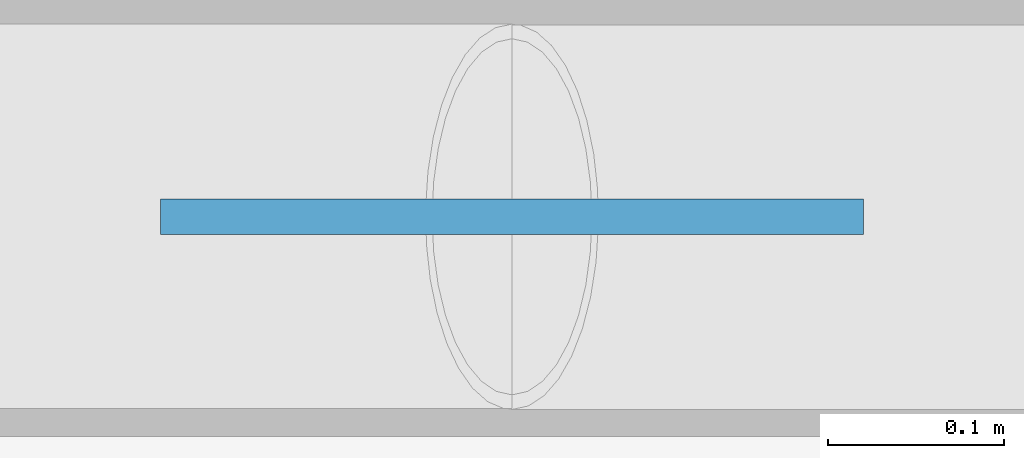
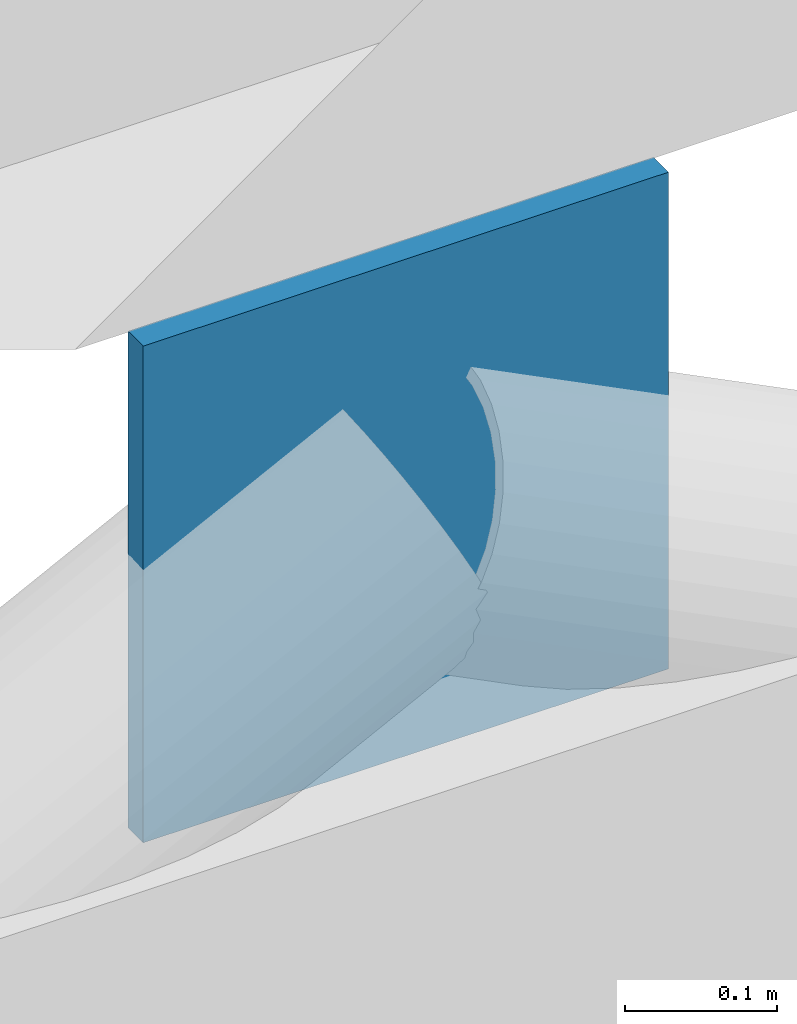
# One storey, part 11 of 16: 1 plate.
"""IFC4 building model written with IfcOpenShell, lengths in metres."""

from ifc_helpers import new_model, si_unit, direction, frame, origin, origin_2d, place, context, subcontext, project, spatial, rectangle, extrude, material, layer, layer_set, type_object, element, save


model = new_model("IFC4")

# Units and contexts
model_context = context("Model", 3, precision=1e-05, world=origin(), true_north=direction((0.0, 1.0)))
body_context = subcontext(model_context, "Body", "Model", "MODEL_VIEW")
ifc_project = project(units=[si_unit("LENGTHUNIT", "METRE"), si_unit("AREAUNIT", "SQUARE_METRE"), si_unit("VOLUMEUNIT", "CUBIC_METRE"), si_unit("PLANEANGLEUNIT", "RADIAN"), si_unit("MASSUNIT", "GRAM", prefix="KILO"), si_unit("THERMODYNAMICTEMPERATUREUNIT", "KELVIN"), si_unit("POWERUNIT", "WATT")], contexts=[model_context])

# Site, building, storey
site_placement = place(None, origin())
site = spatial("IfcSite", under=ifc_project, at=site_placement, CompositionType="ELEMENT")
building_placement = place(site_placement, origin())
building = spatial("IfcBuilding", under=site, at=building_placement, Name="Tallowbark Science Centre", CompositionType="ELEMENT")
storey_placement = place(building_placement, frame((0.0, 0.0, 23.39990234375)))
storey = spatial("IfcBuildingStorey", under=building, at=storey_placement, Name="L05", CompositionType="ELEMENT", Elevation=23.39990234375)

# Plate
ifc_material = material(Name="Structural Steel Grade 300PLUS (300 MPa)", Category="steel")
ifc_layer = layer(ifc_material, 0.02001953125)
ifc_layer_set = layer_set([ifc_layer], Name="Structural Steel Grade 300PLUS (300 MPa)")
plate_type = type_object("IfcPlateType", Name="PLT-GUS-20", PredefinedType="SHEET", material=ifc_layer_set)
plate_placement = place(storey_placement, frame((126.0, 108.0, 2.06005859375), z_axis=(0.0, 0.0, 1.0), x_axis=(1.0, 0.0, 0.0)))
element("IfcPlate", 1, at=plate_placement, inside=storey, type_object=plate_type, Name="Chevron Brace Apex Gusset CBF-OBS-N1 L05", PredefinedType="SHEET", context=body_context, shape_type="SweptSolid", body=[
    extrude(rectangle(XDim=0.39990234375, YDim=0.02001953125, at=origin_2d()), origin(), (0.0, 0.0, 1.0), 0.39990234375),
])

save(model, "model.ifc")
